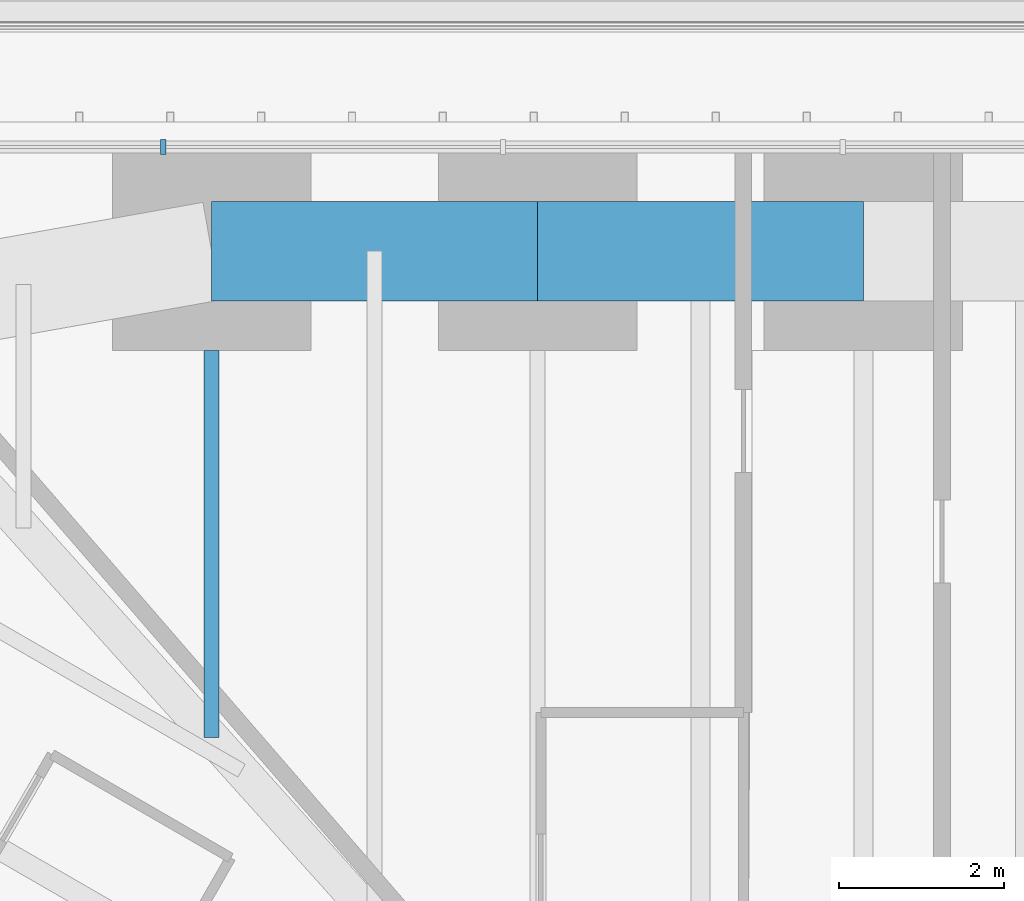
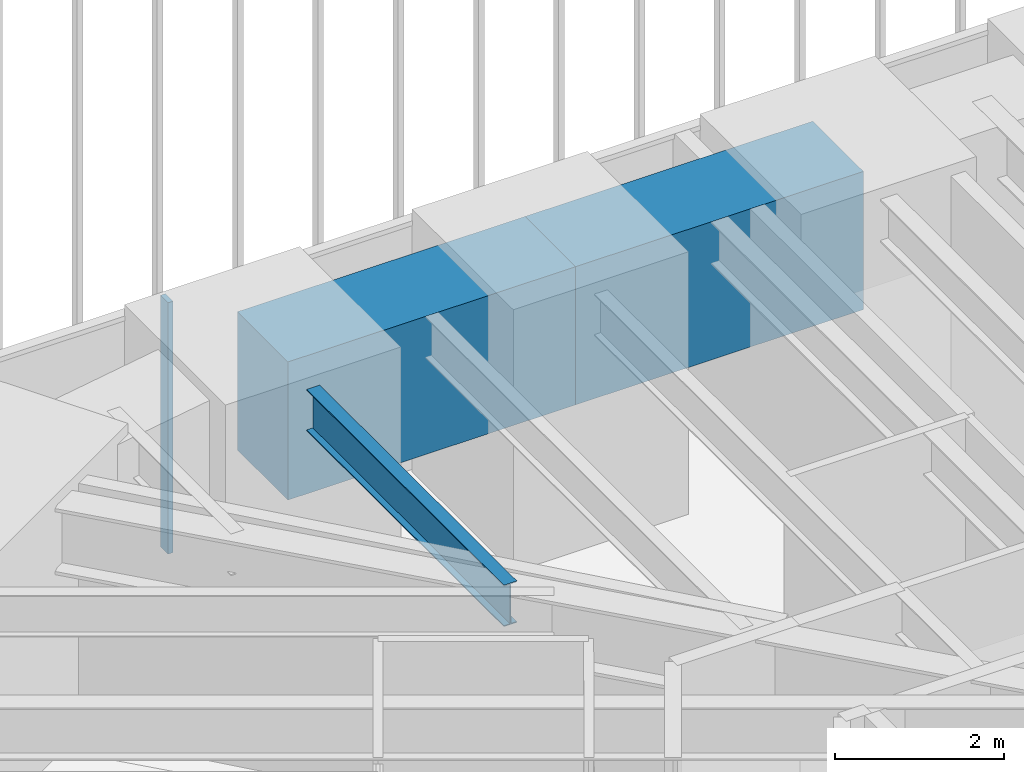
# One storey, part 153 of 238: 3 beams, 1 member, 1 element without a shape of its own.
"""IFC4 building model written with IfcOpenShell, lengths in metres."""

import ifcopenshell
import ifcopenshell.guid

model = None  # the IFC model being written
_history = None  # IfcOwnerHistory: only IFC2X3 demands one
_inside = {}  # id of a spatial element -> (the spatial element, [elements in it])
_under = {}  # id of a project, library or spatial element -> (it, [spatial elements below it])
_declared = {}  # id of a project -> (the project, [libraries it declares])
_typed = {}  # id of a type object -> (the type object, [elements of that type])
_made_of = {}  # id of a material, layer set ... -> (it, [elements and type objects made of it])


def new_model(schema):
    """Start an empty IFC model of exactly this schema.

    Asked for "IFC4X3", IfcOpenShell would pick the latest addendum, in which some entities
    have other attributes; the version numbers below select the first issue.
    IFC2X3 requires an IfcOwnerHistory on every rooted entity: one is made here for all.
    """
    global model, _history
    if schema == "IFC4X3":
        model = ifcopenshell.file(schema_version=(4, 3, 0, 0))
    else:
        model = ifcopenshell.file(schema=schema)
    _inside.clear()
    _under.clear()
    _declared.clear()
    _typed.clear()
    _made_of.clear()
    _history = None
    if model.schema == "IFC2X3":
        org = make("IfcOrganization", Name="unknown")
        user = make(
            "IfcPersonAndOrganization",
            ThePerson=make("IfcPerson", FamilyName="unknown"),
            TheOrganization=org,
        )
        app = make(
            "IfcApplication",
            ApplicationDeveloper=org,
            Version="unknown",
            ApplicationFullName="unknown",
            ApplicationIdentifier="unknown",
        )
        _history = make(
            "IfcOwnerHistory",
            OwningUser=user,
            OwningApplication=app,
            ChangeAction="ADDED",
            CreationDate=0,
        )
    return model


def make(cls, **values):
    """One entity of the class cls with the attributes given. An attribute that is None is left unset."""
    return model.create_entity(
        cls, **{name: value for name, value in values.items() if value is not None}
    )


def rooted(cls, **values):
    """An entity with a GlobalId (a new one), such as an element, a storey or a relation."""
    return make(cls, GlobalId=ifcopenshell.guid.new(), OwnerHistory=_history, **values)


def si_unit(unit_type, name, prefix=None):
    """IfcSIUnit, for example si_unit("LENGTHUNIT", "METRE", prefix="MILLI")."""
    return make("IfcSIUnit", UnitType=unit_type, Prefix=prefix, Name=name)


def assignment(units):
    """IfcUnitAssignment: the units of a project."""
    return None if units is None else make("IfcUnitAssignment", Units=units)


def point(xyz):
    """IfcCartesianPoint."""
    return None if xyz is None else make("IfcCartesianPoint", Coordinates=xyz)


def direction(xyz):
    """IfcDirection."""
    return None if xyz is None else make("IfcDirection", DirectionRatios=xyz)


def frame(location, z_axis=None, x_axis=None):
    """IfcAxis2Placement3D, a coordinate frame: its origin and axes. An axis left out is left unset."""
    return make(
        "IfcAxis2Placement3D",
        Location=point(location),
        Axis=direction(z_axis),
        RefDirection=direction(x_axis),
    )


def frame_2d(location, x_axis=None):
    """IfcAxis2Placement2D, a coordinate frame in the plane: its origin and x axis."""
    return make(
        "IfcAxis2Placement2D", Location=point(location), RefDirection=direction(x_axis)
    )


def origin():
    """The frame at (0, 0, 0) with its axes left unset."""
    return frame((0.0, 0.0, 0.0))


def origin_2d():
    """The frame at (0, 0) in the plane with its x axis left unset."""
    return frame_2d((0.0, 0.0))


def place(relative_to, where):
    """IfcLocalPlacement: puts the frame where relative to a parent placement (None: the world)."""
    return make(
        "IfcLocalPlacement", PlacementRelTo=relative_to, RelativePlacement=where
    )


def context(
    kind, dimensions, precision=None, world=None, true_north=None, identifier=None
):
    """IfcGeometricRepresentationContext, for example the 3D "Model" context."""
    return make(
        "IfcGeometricRepresentationContext",
        ContextIdentifier=identifier,
        ContextType=kind,
        CoordinateSpaceDimension=dimensions,
        Precision=precision,
        WorldCoordinateSystem=world,
        TrueNorth=true_north,
    )


def subcontext(parent, identifier, kind, view, scale=None):
    """IfcGeometricRepresentationSubContext, for example "Body" below "Model"."""
    return make(
        "IfcGeometricRepresentationSubContext",
        ContextIdentifier=identifier,
        ContextType=kind,
        ParentContext=parent,
        TargetScale=scale,
        TargetView=view,
    )


def project(units=None, contexts=None):
    """IfcProject with its units and contexts."""
    return rooted(
        "IfcProject",
        Name="project",
        RepresentationContexts=contexts,
        UnitsInContext=assignment(units),
    )


def spatial(cls, under=None, at=None, **own):
    """A site, building, storey or space (cls), placed at a placement, below another one or the project."""
    s = rooted(cls, ObjectPlacement=at, **own)
    if under is not None:
        _under.setdefault(under.id(), (under, []))[1].append(s)
    return s


def profile(cls, at=None, kind="AREA", **sizes):
    """A parametric profile (cls). Its sizes go by their IFC names, for example OverallWidth=200.0."""
    return make(cls, ProfileType=kind, Position=at, **sizes)


def rectangle(**sizes):
    """IfcRectangleProfileDef."""
    return profile("IfcRectangleProfileDef", **sizes)


def i_section(**sizes):
    """IfcIShapeProfileDef."""
    return profile("IfcIShapeProfileDef", **sizes)


def extrude(swept, where, along, depth):
    """IfcExtrudedAreaSolid: the profile swept, set in the frame where, extruded along a direction by depth."""
    return make(
        "IfcExtrudedAreaSolid",
        SweptArea=swept,
        Position=where,
        ExtrudedDirection=direction(along),
        Depth=depth,
    )


def shape(context_of_items, identifier, shape_type, items):
    """IfcShapeRepresentation: the items that make up one representation, for example the "Body"."""
    return make(
        "IfcShapeRepresentation",
        ContextOfItems=context_of_items,
        RepresentationIdentifier=identifier,
        RepresentationType=shape_type,
        Items=items,
    )


def material(Name=None, Category=None):
    """IfcMaterial."""
    return make("IfcMaterial", Name=Name, Category=Category)


def material_profile(
    of_material, cross_section, Name=None, Category=None, Priority=None
):
    """IfcMaterialProfile: a cross section and its material."""
    return make(
        "IfcMaterialProfile",
        Name=Name,
        Material=of_material,
        Profile=cross_section,
        Priority=Priority,
        Category=Category,
    )


def profile_set(profiles, Name=None, composite=None):
    """IfcMaterialProfileSet."""
    return make(
        "IfcMaterialProfileSet",
        Name=Name,
        MaterialProfiles=profiles,
        CompositeProfile=composite,
    )


def made_of(thing, what):
    """Note that an element or type object is made of a material, layer set ...; save() writes the relation."""
    if what is not None:
        _made_of.setdefault(what.id(), (what, []))[1].append(thing)
    return thing


def type_object(cls, material=None, **own):
    """A type object (cls), such as IfcWallType, which elements share."""
    return made_of(rooted(cls, **own), material)


def element(
    cls,
    number,
    at=None,
    inside=None,
    cuts=None,
    type_object=None,
    material=None,
    context=None,
    identifier="Body",
    shape_type=None,
    held_by="IfcProductDefinitionShape",
    body=None,
    shapes=None,
    **own,
):
    """One element of the class cls, such as IfcWall. Its Tag is "e" and its number.

    at: its placement. inside: the storey or other place that contains it. cuts: it is an
    opening in that element (IfcRelVoidsElement). A single representation is given by context,
    identifier, shape_type and body (its items); several are given by shapes. held_by: the class
    of the entity that holds the representations. save() writes the other relations.
    """
    e = rooted(cls, Tag="e%d" % number, ObjectPlacement=at, **own)
    if body is not None:
        shapes = [shape(context, identifier, shape_type, body)]
    if shapes is not None:
        e.Representation = make(held_by, Representations=shapes)
    if inside is not None:
        _inside.setdefault(inside.id(), (inside, []))[1].append(e)
    if cuts is not None:
        rooted(
            "IfcRelVoidsElement", RelatingBuildingElement=cuts, RelatedOpeningElement=e
        )
    if type_object is not None:
        _typed.setdefault(type_object.id(), (type_object, []))[1].append(e)
    return made_of(e, material)


def aggregate(whole, parts):
    """IfcRelAggregates: a whole, such as a stair, and the parts it consists of."""
    return rooted("IfcRelAggregates", RelatingObject=whole, RelatedObjects=parts)


def save(model, path):
    """Write the relations noted so far, then the file.

    IfcRelAggregates (storeys below a building ...), IfcRelContainedInSpatialStructure (elements
    in a storey), IfcRelDefinesByType, IfcRelAssociatesMaterial and IfcRelDeclares: one each for
    every whole, place, type object, material and project.
    """
    for whole, parts in _under.values():
        aggregate(whole, parts)
    for where, things in _inside.values():
        rooted(
            "IfcRelContainedInSpatialStructure",
            RelatedElements=things,
            RelatingStructure=where,
        )
    for kind, things in _typed.values():
        rooted("IfcRelDefinesByType", RelatedObjects=things, RelatingType=kind)
    for what, things in _made_of.values():
        rooted("IfcRelAssociatesMaterial", RelatedObjects=things, RelatingMaterial=what)
    for by, libraries in _declared.values():
        rooted("IfcRelDeclares", RelatingContext=by, RelatedDefinitions=libraries)
    model.write(path)


model = new_model("IFC4")

# Units and contexts
model_context = context("Model", 3, precision=1e-05, world=origin(), true_north=direction((0.0, 1.0)))
body_context = subcontext(model_context, "Body", "Model", "MODEL_VIEW")
ifc_project = project(units=[si_unit("LENGTHUNIT", "METRE"), si_unit("AREAUNIT", "SQUARE_METRE"), si_unit("VOLUMEUNIT", "CUBIC_METRE"), si_unit("PLANEANGLEUNIT", "RADIAN"), si_unit("MASSUNIT", "GRAM", prefix="KILO")], contexts=[model_context])

# Site, building, storey
site_placement = place(None, origin())
site = spatial("IfcSite", under=ifc_project, at=site_placement, CompositionType="ELEMENT")
building_placement = place(site_placement, origin())
building = spatial("IfcBuilding", under=site, at=building_placement, Name="Sandreach Pilgrim Tower", CompositionType="ELEMENT")
storey_placement = place(building_placement, frame((0.0, 0.0, 96.800048828125)))
storey = spatial("IfcBuildingStorey", under=building, at=storey_placement, Name="L23", CompositionType="ELEMENT", Elevation=96.800048828125)

# Curtain wall, member
ifc_material_1 = material(Name="Aluminium framed curtain wall", Category="aluminium")
curtain_wall_type = type_object("IfcCurtainWallType", Name="Hotel tower curtain wall", PredefinedType="NOTDEFINED", material=ifc_material_1)
curtain_wall_placement = place(storey_placement, origin())
curtain_wall = element("IfcCurtainWall", 1, at=curtain_wall_placement, inside=storey, type_object=curtain_wall_type, Name="CW-2 L23 N", PredefinedType="NOTDEFINED")
ifc_material_2 = material(Name="Aluminium extrusion", Category="aluminium")
ifc_material_profile_1 = material_profile(ifc_material_2, rectangle(XDim=0.06494140625, YDim=0.179931640625, at=origin_2d()), Name="CW-2M 65X180")
ifc_profile_set_1 = profile_set([ifc_material_profile_1], Name="Aluminium extrusion")
member_type = type_object("IfcMemberType", Name="CW-2 mullion", PredefinedType="MULLION", material=ifc_profile_set_1)
member_placement = place(storey_placement, frame((-14.37451171875, 22.493896484375, 0.0), z_axis=(0.0, 0.0, 1.0), x_axis=(1.0, 0.0, 0.0)))
member = element("IfcMember", 2, at=member_placement, type_object=member_type, Name="CW-2 mullion 2", PredefinedType="MULLION", context=body_context, shape_type="SweptSolid", body=[
    extrude(rectangle(XDim=0.06494140625, YDim=0.179931640625, at=origin_2d()), origin(), (0.0, 0.0, 1.0), 3.639892578125),
])
aggregate(curtain_wall, [member])

# Beams
ifc_material_3 = material(Name="Steel ASTM A992 Grade 50", Category="steel")
ifc_material_profile_2 = material_profile(ifc_material_3, i_section(OverallWidth=0.1787109375, OverallDepth=0.60205078125, WebThickness=0.010986328125, FlangeThickness=0.014892578125, at=origin_2d()), Name="W24X62")
ifc_profile_set_2 = profile_set([ifc_material_profile_2], Name="Steel ASTM A992 Grade 50")
beam_type_1 = type_object("IfcBeamType", Name="Floor beam W24X62", PredefinedType="BEAM", material=ifc_profile_set_2)
beam_placement = place(storey_placement, frame((-13.789794921875, 20.03369140625, 3.3388671875), z_axis=(0.0, -1.0, 0.0), x_axis=(1.0, 0.0, 0.0)))
element("IfcBeam", 3, at=beam_placement, inside=storey, type_object=beam_type_1, Name="BM L23 F01", PredefinedType="BEAM", context=body_context, shape_type="SweptSolid", body=[
    extrude(i_section(OverallWidth=0.1787109375, OverallDepth=0.60205078125, WebThickness=0.010986328125, FlangeThickness=0.014892578125, at=origin_2d()), origin(), (0.0, 0.0, 1.0), 4.676513671875),
])
ifc_material_4 = material(Name="Concrete 10000 psi", Category="concrete")
ifc_material_profile_3 = material_profile(ifc_material_4, rectangle(XDim=1.199951171875, YDim=2.0, at=origin_2d()), Name="RC1200X2000")
ifc_profile_set_3 = profile_set([ifc_material_profile_3], Name="Concrete 10000 psi")
beam_type_2 = type_object("IfcBeamType", Name="Spandrel beam RC1200X2000", PredefinedType="SPANDREL", material=ifc_profile_set_3)
for number, where, z_axis, x_axis, name in (
    (4, (-13.789794921875, 21.23388671875, 2.639892578125), (1.0, 0.0, 0.0), (0.0, 1.0, 0.0), "BM L23 SP01"),
    (5, (-9.849853515625, 21.23388671875, 2.639892578125), (1.0, 0.0, 0.0), (0.0, 1.0, 0.0), "BM L23 SP02"),
):
    element("IfcBeam", number, at=place(storey_placement, frame(where, z_axis=z_axis, x_axis=x_axis)), inside=storey, type_object=beam_type_2, Name=name, PredefinedType="SPANDREL", context=body_context, shape_type="SweptSolid", body=[
        extrude(rectangle(XDim=1.199951171875, YDim=2.0, at=origin_2d()), origin(), (0.0, 0.0, 1.0), 3.93994140625),
    ])

save(model, "model.ifc")
